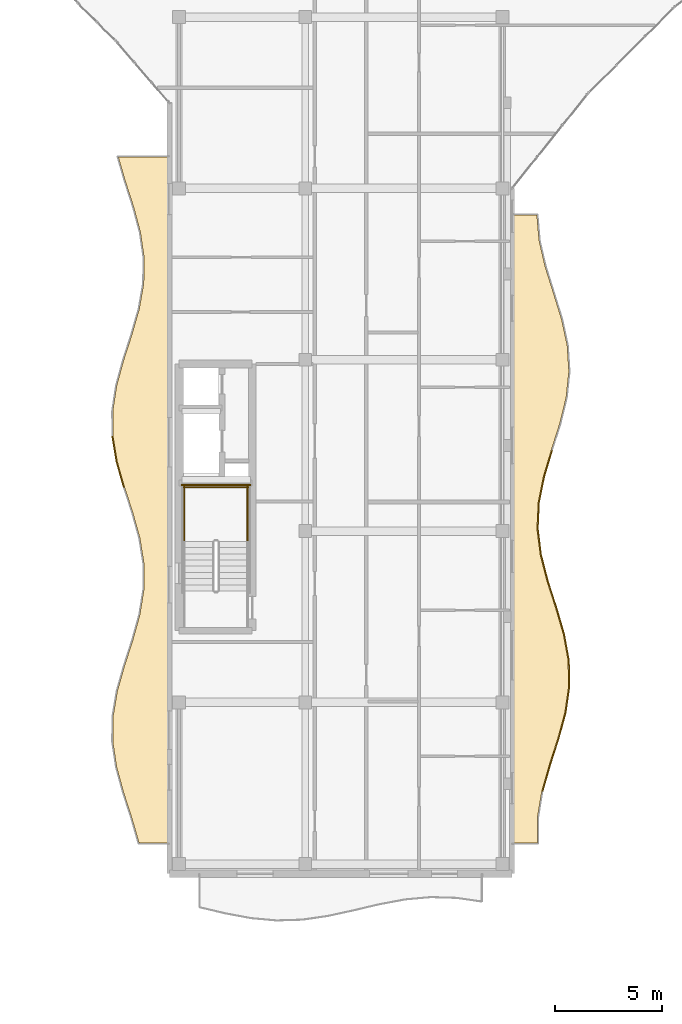
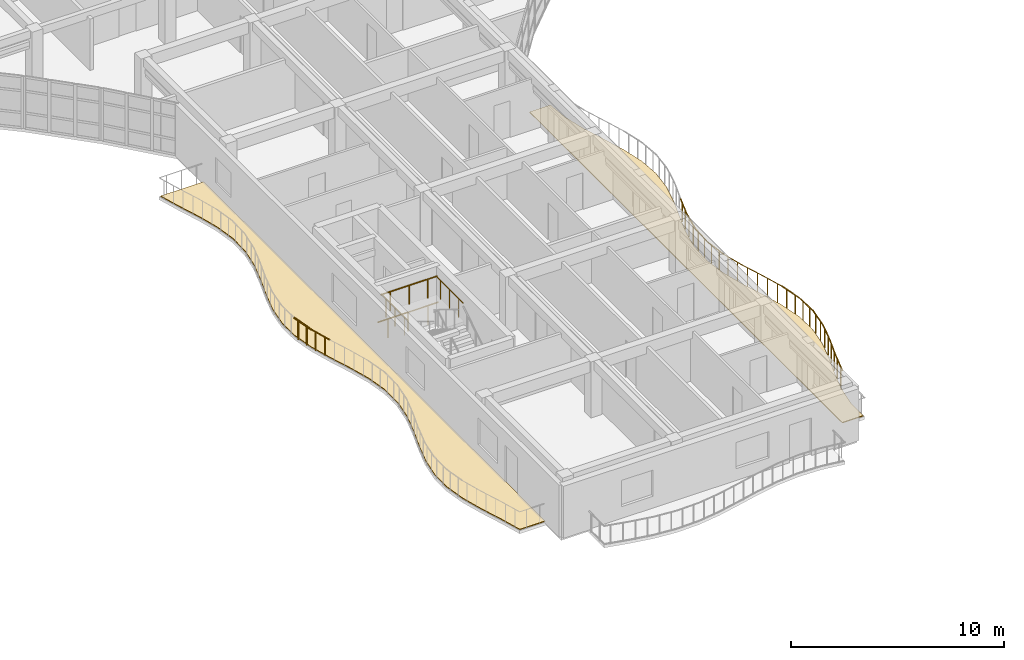
# One storey, part 62 of 79: 19 railings, 2 coverings.
"""IFC4 building model written with IfcOpenShell, lengths in metres."""

from ifc_helpers import new_model, si_unit, direction, frame, origin, origin_2d, place, context, subcontext, project, spatial, polyline, circle, outline, extrude, material, layer, layer_set, type_object, element, save


model = new_model("IFC4")

# Units and contexts
model_context = context("Model", 3, precision=1e-05, world=origin(), true_north=direction((0.0, 1.0)))
body_context = subcontext(model_context, "Body", "Model", "MODEL_VIEW")
ifc_project = project(units=[si_unit("LENGTHUNIT", "METRE"), si_unit("AREAUNIT", "SQUARE_METRE"), si_unit("VOLUMEUNIT", "CUBIC_METRE"), si_unit("PLANEANGLEUNIT", "RADIAN"), si_unit("MASSUNIT", "GRAM", prefix="KILO")], contexts=[model_context])

# Site, building, storey
site_placement = place(None, origin())
site = spatial("IfcSite", under=ifc_project, at=site_placement, CompositionType="ELEMENT")
building_placement = place(site_placement, origin())
building = spatial("IfcBuilding", under=site, at=building_placement, Name="Keldmere Railside Commons", CompositionType="ELEMENT")
storey_placement = place(building_placement, frame((0.0, 0.0, 10.56005859375)))
storey = spatial("IfcBuildingStorey", under=building, at=storey_placement, Name="L03", CompositionType="ELEMENT", Elevation=10.56005859375)

# Railings
ifc_material_1 = material(Name="Steel F-24 (S235)", Category="steel")
railing_type_1 = type_object("IfcRailingType", Name="Balcony & Terrace Steel Balustrade 1100", PredefinedType="BALUSTRADE", material=ifc_material_1)
railing_1_placement = place(storey_placement, frame((121.430908203125, 59.85009765625, 0.0)))
element("IfcRailing", 1, at=railing_1_placement, inside=storey, type_object=railing_type_1, Name="GR-1 GRD-L03-2146", PredefinedType="BALUSTRADE", context=body_context, shape_type="SweptSolid", body=[
    extrude(circle(Radius=0.02392578125, at=origin_2d()), frame((0.0, 0.0, 1.076171875), z_axis=(0.273581479402, 0.961848831225, 0.0), x_axis=(-0.961848831225, 0.273581479402, 0.0)), (0.0, 0.0, 1.0), 1.2734375),
    extrude(circle(Radius=0.02099609375, at=origin_2d()), frame((0.087158203125, 0.30615234375, 0.0)), (0.0, 0.0, 1.0), 1.048095703125),
    extrude(circle(Radius=0.02099609375, at=origin_2d()), frame((0.26123046875, 0.918701171875, 0.0)), (0.0, 0.0, 1.0), 1.048095703125),
])
railing_2_placement = place(storey_placement, frame((121.779296875, 61.074951171875, 0.0)))
element("IfcRailing", 2, at=railing_2_placement, inside=storey, type_object=railing_type_1, Name="GR-1 GRD-L03-2147", PredefinedType="BALUSTRADE", context=body_context, shape_type="SweptSolid", body=[
    extrude(circle(Radius=0.02392578125, at=origin_2d()), frame((0.0, 0.0, 1.076171875), z_axis=(0.307396140742, 0.951581637411, 0.0), x_axis=(-0.951581637411, 0.307396140742, 0.0)), (0.0, 0.0, 1.0), 1.287353515625),
    extrude(circle(Radius=0.02099609375, at=origin_2d()), frame((0.098876953125, 0.30615234375, 0.0)), (0.0, 0.0, 1.0), 1.048095703125),
    extrude(circle(Radius=0.02099609375, at=origin_2d()), frame((0.296875, 0.9189453125, 0.0)), (0.0, 0.0, 1.0), 1.048095703125),
])
railing_3_placement = place(storey_placement, frame((122.175048828125, 62.300048828125, 0.0)))
element("IfcRailing", 3, at=railing_3_placement, inside=storey, type_object=railing_type_1, Name="GR-1 GRD-L03-2148", PredefinedType="BALUSTRADE", context=body_context, shape_type="SweptSolid", body=[
    extrude(circle(Radius=0.02392578125, at=origin_2d()), frame((0.0, 0.0, 1.076171875), z_axis=(0.262531488191, 0.964923425826, 0.0), x_axis=(-0.964923425826, 0.262531488191, 0.0)), (0.0, 0.0, 1.0), 1.269287109375),
    extrude(circle(Radius=0.02099609375, at=origin_2d()), frame((0.083251953125, 0.30615234375, 0.0)), (0.0, 0.0, 1.0), 1.048095703125),
    extrude(circle(Radius=0.02099609375, at=origin_2d()), frame((0.25, 0.918701171875, 0.0)), (0.0, 0.0, 1.0), 1.048095703125),
])
railing_4_placement = place(storey_placement, frame((122.50830078125, 63.52490234375, 0.0)))
element("IfcRailing", 4, at=railing_4_placement, inside=storey, type_object=railing_type_1, Name="GR-1 GRD-L03-2149", PredefinedType="BALUSTRADE", context=body_context, shape_type="SweptSolid", body=[
    extrude(circle(Radius=0.02392578125, at=origin_2d()), frame((0.0, 0.0, 1.076171875), z_axis=(0.143188303357, 0.989695463151, 0.0), x_axis=(-0.989695463151, 0.143188303357, 0.0)), (0.0, 0.0, 1.0), 1.23779296875),
    extrude(circle(Radius=0.02099609375, at=origin_2d()), frame((0.04443359375, 0.30615234375, 0.0)), (0.0, 0.0, 1.0), 1.048095703125),
    extrude(circle(Radius=0.02099609375, at=origin_2d()), frame((0.1328125, 0.9189453125, 0.0)), (0.0, 0.0, 1.0), 1.048095703125),
])
railing_5_placement = place(storey_placement, frame((122.685546875, 64.75, 0.0)))
element("IfcRailing", 5, at=railing_5_placement, inside=storey, type_object=railing_type_1, Name="GR-1 GRD-L03-2150", PredefinedType="BALUSTRADE", context=body_context, shape_type="SweptSolid", body=[
    extrude(circle(Radius=0.02392578125, at=origin_2d()), frame((0.0, 0.0, 1.076171875), z_axis=(-0.022712354065, 0.999742041215, 0.0), x_axis=(-0.999742041215, -0.022712354065, 0.0)), (0.0, 0.0, 1.0), 1.225341796875),
    extrude(circle(Radius=0.02099609375, at=origin_2d()), frame((-0.0068359375, 0.30615234375, 0.0)), (0.0, 0.0, 1.0), 1.048095703125),
    extrude(circle(Radius=0.02099609375, at=origin_2d()), frame((-0.02099609375, 0.9189453125, 0.0)), (0.0, 0.0, 1.0), 1.048095703125),
])
railing_6_placement = place(storey_placement, frame((122.65771484375, 65.97509765625, 0.0)))
element("IfcRailing", 6, at=railing_6_placement, inside=storey, type_object=railing_type_1, Name="GR-1 GRD-L03-2151", PredefinedType="BALUSTRADE", context=body_context, shape_type="SweptSolid", body=[
    extrude(circle(Radius=0.02392578125, at=origin_2d()), frame((0.0, 0.0, 1.076171875), z_axis=(-0.180937900044, 0.983494522775, 0.0), x_axis=(-0.983494522775, -0.180937900044, 0.0)), (0.0, 0.0, 1.0), 1.245361328125),
    extrude(circle(Radius=0.02099609375, at=origin_2d()), frame((-0.056396484375, 0.30615234375, 0.0)), (0.0, 0.0, 1.0), 1.048095703125),
    extrude(circle(Radius=0.02099609375, at=origin_2d()), frame((-0.1689453125, 0.918701171875, 0.0)), (0.0, 0.0, 1.0), 1.048095703125),
])
railing_7_placement = place(storey_placement, frame((122.432373046875, 67.199951171875, 0.0)))
element("IfcRailing", 7, at=railing_7_placement, inside=storey, type_object=railing_type_1, Name="GR-1 GRD-L03-2152", PredefinedType="BALUSTRADE", context=body_context, shape_type="SweptSolid", body=[
    extrude(circle(Radius=0.02392578125, at=origin_2d()), frame((0.0, 0.0, 1.076171875), z_axis=(-0.281835048871, 0.959462873293, 0.0), x_axis=(-0.959462873293, -0.281835048871, 0.0)), (0.0, 0.0, 1.0), 1.27685546875),
    extrude(circle(Radius=0.02099609375, at=origin_2d()), frame((-0.08984375, 0.30615234375, 0.0)), (0.0, 0.0, 1.0), 1.048095703125),
    extrude(circle(Radius=0.02099609375, at=origin_2d()), frame((-0.27001953125, 0.9189453125, 0.0)), (0.0, 0.0, 1.0), 1.048095703125),
])
railing_8_placement = place(storey_placement, frame((122.072509765625, 68.425048828125, 0.0)))
element("IfcRailing", 8, at=railing_8_placement, inside=storey, type_object=railing_type_1, Name="GR-1 GRD-L03-2153", PredefinedType="BALUSTRADE", context=body_context, shape_type="SweptSolid", body=[
    extrude(circle(Radius=0.02392578125, at=origin_2d()), frame((0.0, 0.0, 1.076171875), z_axis=(-0.306076746011, 0.952006841126, 0.0), x_axis=(-0.952006841126, -0.306076746011, 0.0)), (0.0, 0.0, 1.0), 1.28662109375),
    extrude(circle(Radius=0.02099609375, at=origin_2d()), frame((-0.098388671875, 0.30615234375, 0.0)), (0.0, 0.0, 1.0), 1.048095703125),
    extrude(circle(Radius=0.02099609375, at=origin_2d()), frame((-0.29541015625, 0.918701171875, 0.0)), (0.0, 0.0, 1.0), 1.048095703125),
])
railing_9_placement = place(storey_placement, frame((121.6787109375, 69.64990234375, 0.0)))
element("IfcRailing", 9, at=railing_9_placement, inside=storey, type_object=railing_type_1, Name="GR-1 GRD-L03-2154", PredefinedType="BALUSTRADE", context=body_context, shape_type="SweptSolid", body=[
    extrude(circle(Radius=0.02392578125, at=origin_2d()), frame((0.0, 0.0, 1.076171875), z_axis=(-0.251510998443, 0.967854440328, 0.0), x_axis=(-0.967854440328, -0.251510998443, 0.0)), (0.0, 0.0, 1.0), 1.265869140625),
    extrude(circle(Radius=0.02099609375, at=origin_2d()), frame((-0.07958984375, 0.30615234375, 0.0)), (0.0, 0.0, 1.0), 1.048095703125),
    extrude(circle(Radius=0.02099609375, at=origin_2d()), frame((-0.23876953125, 0.9189453125, 0.0)), (0.0, 0.0, 1.0), 1.048095703125),
])
railing_10_placement = place(storey_placement, frame((121.3603515625, 70.875, 0.0)))
element("IfcRailing", 10, at=railing_10_placement, inside=storey, type_object=railing_type_1, Name="GR-1 GRD-L03-2155", PredefinedType="BALUSTRADE", context=body_context, shape_type="SweptSolid", body=[
    extrude(circle(Radius=0.02392578125, at=origin_2d()), frame((0.0, 0.0, 1.076171875), z_axis=(-0.124570109435, 0.992210808163, 0.0), x_axis=(-0.992210808163, -0.124570109435, 0.0)), (0.0, 0.0, 1.0), 1.234619140625),
    extrude(circle(Radius=0.02099609375, at=origin_2d()), frame((-0.03857421875, 0.30615234375, 0.0)), (0.0, 0.0, 1.0), 1.048095703125),
    extrude(circle(Radius=0.02099609375, at=origin_2d()), frame((-0.115234375, 0.9189453125, 0.0)), (0.0, 0.0, 1.0), 1.048095703125),
])
railing_11_placement = place(storey_placement, frame((121.20654296875, 72.10009765625, 0.0)))
element("IfcRailing", 11, at=railing_11_placement, inside=storey, type_object=railing_type_1, Name="GR-1 GRD-L03-2156", PredefinedType="BALUSTRADE", context=body_context, shape_type="SweptSolid", body=[
    extrude(circle(Radius=0.02392578125, at=origin_2d()), frame((0.0, 0.0, 1.076171875), z_axis=(0.043610055759, 0.999048628965, 0.0), x_axis=(-0.999048628965, 0.043610055759, 0.0)), (0.0, 0.0, 1.0), 1.22607421875),
    extrude(circle(Radius=0.02099609375, at=origin_2d()), frame((0.013427734375, 0.30615234375, 0.0)), (0.0, 0.0, 1.0), 1.048095703125),
    extrude(circle(Radius=0.02099609375, at=origin_2d()), frame((0.0400390625, 0.918701171875, 0.0)), (0.0, 0.0, 1.0), 1.048095703125),
])
railing_12_placement = place(storey_placement, frame((121.260009765625, 73.324951171875, 0.0)))
element("IfcRailing", 12, at=railing_12_placement, inside=storey, type_object=railing_type_1, Name="GR-1 GRD-L03-2157", PredefinedType="BALUSTRADE", context=body_context, shape_type="SweptSolid", body=[
    extrude(circle(Radius=0.02392578125, at=origin_2d()), frame((0.0, 0.0, 1.076171875), z_axis=(0.196942671603, 0.980415006057, 0.0), x_axis=(-0.980415006057, 0.196942671603, 0.0)), (0.0, 0.0, 1.0), 1.24951171875),
    extrude(circle(Radius=0.02099609375, at=origin_2d()), frame((0.0615234375, 0.30615234375, 0.0)), (0.0, 0.0, 1.0), 1.048095703125),
    extrude(circle(Radius=0.02099609375, at=origin_2d()), frame((0.1845703125, 0.9189453125, 0.0)), (0.0, 0.0, 1.0), 1.048095703125),
])
railing_13_placement = place(storey_placement, frame((121.506103515625, 74.550048828125, 0.0)))
element("IfcRailing", 13, at=railing_13_placement, inside=storey, type_object=railing_type_1, Name="GR-1 GRD-L03-2158", PredefinedType="BALUSTRADE", context=body_context, shape_type="SweptSolid", body=[
    extrude(circle(Radius=0.02392578125, at=origin_2d()), frame((0.0, 0.0, 1.076171875), z_axis=(0.28908048012, 0.957304797864, 0.0), x_axis=(-0.957304797864, 0.28908048012, 0.0)), (0.0, 0.0, 1.0), 1.279541015625),
    extrude(circle(Radius=0.02099609375, at=origin_2d()), frame((0.092529296875, 0.30615234375, 0.0)), (0.0, 0.0, 1.0), 1.048095703125),
    extrude(circle(Radius=0.02099609375, at=origin_2d()), frame((0.27734375, 0.918701171875, 0.0)), (0.0, 0.0, 1.0), 1.048095703125),
])
railing_14_placement = place(storey_placement, frame((101.8671875, 74.04443359375, 0.0)))
element("IfcRailing", 14, at=railing_14_placement, inside=storey, type_object=railing_type_1, Name="GR-1 GRD-L03-2184", PredefinedType="BALUSTRADE", context=body_context, shape_type="SweptSolid", body=[
    extrude(circle(Radius=0.02392578125, at=origin_2d()), frame((0.0, 0.0, 1.076171875), z_axis=(-0.27226724153, 0.962221673623, 0.0), x_axis=(-0.962221673623, -0.27226724153, 0.0)), (0.0, 0.0, 1.0), 1.235595703125),
    extrude(circle(Radius=0.02099609375, at=origin_2d()), frame((-0.083984375, 0.29736328125, 0.0)), (0.0, 0.0, 1.0), 1.048095703125),
    extrude(circle(Radius=0.02099609375, at=origin_2d()), frame((-0.25244140625, 0.8916015625, 0.0)), (0.0, 0.0, 1.0), 1.048095703125),
])
railing_15_placement = place(storey_placement, frame((101.53076171875, 75.2333984375, 0.0)))
element("IfcRailing", 15, at=railing_15_placement, inside=storey, type_object=railing_type_1, Name="GR-1 GRD-L03-2185", PredefinedType="BALUSTRADE", context=body_context, shape_type="SweptSolid", body=[
    extrude(circle(Radius=0.02392578125, at=origin_2d()), frame((0.0, 0.0, 1.076171875), z_axis=(-0.165876766228, 0.986146489334, 0.0), x_axis=(-0.986146489334, -0.165876766228, 0.0)), (0.0, 0.0, 1.0), 1.205322265625),
    extrude(circle(Radius=0.02099609375, at=origin_2d()), frame((-0.050048828125, 0.297119140625, 0.0)), (0.0, 0.0, 1.0), 1.048095703125),
    extrude(circle(Radius=0.02099609375, at=origin_2d()), frame((-0.14990234375, 0.8916015625, 0.0)), (0.0, 0.0, 1.0), 1.048095703125),
])
railing_type_2 = type_object("IfcRailingType", Name="Stair Well Steel Guardrail 1100", PredefinedType="BALUSTRADE", material=ifc_material_1)
for number, where, name in (
    (16, (107.64990234375, 71.52001953125, 1.599853515625), "L03 ST-B1 stair guard 3"),
    (17, (104.699951171875, 71.52001953125, 1.599853515625), "L03 ST-B1 stair guard 4"),
):
    element("IfcRailing", number, at=place(storey_placement, frame(where)), inside=storey, type_object=railing_type_2, Name=name, PredefinedType="BALUSTRADE", context=body_context, shape_type="SweptSolid", body=[
        extrude(circle(Radius=0.02392578125, at=origin_2d()), frame((0.0, 0.0, 1.076171875), z_axis=(0.0, 1.0, 0.0), x_axis=(-1.0, 0.0, 0.0)), (0.0, 0.0, 1.0), 2.580078125),
        extrude(circle(Radius=0.02099609375, at=origin_2d()), frame((0.0, 0.429931640625, 0.0)), (0.0, 0.0, 1.0), 1.048095703125),
        extrude(circle(Radius=0.02099609375, at=origin_2d()), frame((0.0, 1.2900390625, 0.0)), (0.0, 0.0, 1.0), 1.048095703125),
        extrude(circle(Radius=0.02099609375, at=origin_2d()), frame((0.0, 2.150146484375, 0.0)), (0.0, 0.0, 1.0), 1.048095703125),
    ])
railing_16_placement = place(storey_placement, frame((107.699951171875, 74.050048828125, 1.599853515625)))
element("IfcRailing", 18, at=railing_16_placement, inside=storey, type_object=railing_type_2, Name="L03 ST-B1 stair guard 5", PredefinedType="BALUSTRADE", context=body_context, shape_type="SweptSolid", body=[
    extrude(circle(Radius=0.02392578125, at=origin_2d()), frame((0.0, 0.0, 1.076171875), z_axis=(-1.0, 0.0, 0.0), x_axis=(0.0, -1.0, 0.0)), (0.0, 0.0, 1.0), 3.050048828125),
    extrude(circle(Radius=0.02099609375, at=origin_2d()), frame((-0.50830078125, 0.0, 0.0)), (0.0, 0.0, 1.0), 1.048095703125),
    extrude(circle(Radius=0.02099609375, at=origin_2d()), frame((-1.52490234375, 0.0, 0.0)), (0.0, 0.0, 1.0), 1.048095703125),
    extrude(circle(Radius=0.02099609375, at=origin_2d()), frame((-2.541748046875, 0.0, 0.0)), (0.0, 0.0, 1.0), 1.048095703125),
])
railing_17_placement = place(storey_placement, frame((107.800048828125, 74.14990234375, 0.0)))
element("IfcRailing", 19, at=railing_17_placement, inside=storey, type_object=railing_type_2, Name="L03 ST-B1 stair guard 12", PredefinedType="BALUSTRADE", context=body_context, shape_type="SweptSolid", body=[
    extrude(circle(Radius=0.02392578125, at=origin_2d()), frame((0.0, 0.0, 1.076171875), z_axis=(-1.0, 0.0, 0.0), x_axis=(0.0, -1.0, 0.0)), (0.0, 0.0, 1.0), 3.25),
    extrude(circle(Radius=0.02099609375, at=origin_2d()), frame((-0.541748046875, 0.0, 0.0)), (0.0, 0.0, 1.0), 1.048095703125),
    extrude(circle(Radius=0.02099609375, at=origin_2d()), frame((-1.625, 0.0, 0.0)), (0.0, 0.0, 1.0), 1.048095703125),
    extrude(circle(Radius=0.02099609375, at=origin_2d()), frame((-2.708251953125, 0.0, 0.0)), (0.0, 0.0, 1.0), 1.048095703125),
])

# Coverings
ifc_material_2 = material(Name="White Precast Concrete C35/45", Category="concrete")
ifc_layer = layer(ifc_material_2, 0.044921875, Name="White Architectural Balcony Ribbon Cladding 45")
ifc_layer_set = layer_set([ifc_layer], Name="White Precast Concrete C35/45")
covering_type = type_object("IfcCoveringType", Name="White Architectural Balcony Ribbon Cladding 45", PredefinedType="FLOORING", material=ifc_layer_set)
covering_1_placement = place(storey_placement, origin())
element("IfcCovering", 20, at=covering_1_placement, inside=storey, type_object=covering_type, Name="CLG-WB B L03 CE White Balcony Ribbon", PredefinedType="FLOORING", context=body_context, shape_type="SweptSolid", body=[
    extrude(outline(polyline([(121.1875, 58.625), (121.187744140625, 58.62841796875), (121.18798828125, 58.631591796875), (121.3916015625, 59.856689453125), (121.392578125, 59.86083984375), (121.74072265625, 61.0859375), (121.7412109375, 61.08740234375), (122.13671875, 62.311279296875), (122.468994140625, 63.533203125), (122.6455078125, 64.75244140625), (122.617919921875, 65.970947265625), (122.393310546875, 67.190673828125), (122.034423828125, 68.4130859375), (121.640380859375, 69.6376953125), (121.639892578125, 69.639892578125), (121.321533203125, 70.864990234375), (121.320556640625, 70.8701171875), (121.166748046875, 72.094970703125), (121.16650390625, 72.098388671875), (121.16650390625, 72.101806640625), (121.22021484375, 73.32666015625), (121.220458984375, 73.329833984375), (121.220947265625, 73.3330078125), (121.467041015625, 74.557861328125), (121.468017578125, 74.5615234375), (121.837646484375, 75.78662109375), (121.837890625, 75.787109375), (122.22802734375, 77.010986328125), (122.529296875, 78.23193359375), (122.658203125, 79.45068359375), (122.57958984375, 80.66943359375), (122.314697265625, 81.889892578125), (121.936767578125, 83.113037109375), (121.551513671875, 84.337890625), (121.550537109375, 84.3408203125), (121.265869140625, 85.56591796875), (121.264892578125, 85.571533203125), (121.163330078125, 86.760009765625), (120.0400390625, 86.760009765625), (120.0400390625, 57.43994140625), (121.185791015625, 57.43994140625), (121.1875, 58.625)])), origin(), (0.0, 0.0, 1.0), 0.044921875),
])
covering_2_placement = place(storey_placement, origin())
element("IfcCovering", 21, at=covering_2_placement, inside=storey, type_object=covering_type, Name="CLG-WB B L03 CW White Balcony Ribbon", PredefinedType="FLOORING", context=body_context, shape_type="SweptSolid", body=[
    extrude(outline(polyline([(103.9599609375, 89.4599609375), (101.6162109375, 89.4599609375), (101.947998046875, 88.32275390625), (102.331787109375, 87.134521484375), (102.332275390625, 87.132568359375), (102.65185546875, 85.943603515625), (102.65283203125, 85.93896484375), (102.82421875, 84.75), (102.82470703125, 84.746826171875), (102.82470703125, 84.74365234375), (102.802734375, 83.554931640625), (102.802490234375, 83.5517578125), (102.80224609375, 83.548583984375), (102.5927734375, 82.35986328125), (102.591796875, 82.355712890625), (102.25, 81.166748046875), (102.24951171875, 81.16552734375), (101.865478515625, 79.9775390625), (101.54052734375, 78.791748046875), (101.360107421875, 77.608154296875), (101.37060546875, 76.42578125), (101.56982421875, 75.2421875), (101.905517578125, 74.055908203125), (102.2900390625, 72.867919921875), (102.290283203125, 72.8662109375), (102.6220703125, 71.677490234375), (102.623046875, 71.673095703125), (102.814208984375, 70.484130859375), (102.814697265625, 70.48095703125), (102.814697265625, 70.477783203125), (102.815185546875, 69.288818359375), (102.815185546875, 69.28564453125), (102.814697265625, 69.28271484375), (102.62451171875, 68.09375), (102.623291015625, 68.08935546875), (102.292236328125, 66.900390625), (102.2919921875, 66.898681640625), (101.907470703125, 65.710693359375), (101.5712890625, 64.5244140625), (101.371337890625, 63.3408203125), (101.359619140625, 62.158447265625), (101.539306640625, 60.97509765625), (101.863525390625, 59.789306640625), (102.247802734375, 58.601318359375), (102.248046875, 58.60009765625), (102.58203125, 57.43994140625), (103.9599609375, 57.43994140625), (103.9599609375, 89.4599609375)])), origin(), (0.0, 0.0, 1.0), 0.044921875),
])

save(model, "model.ifc")
